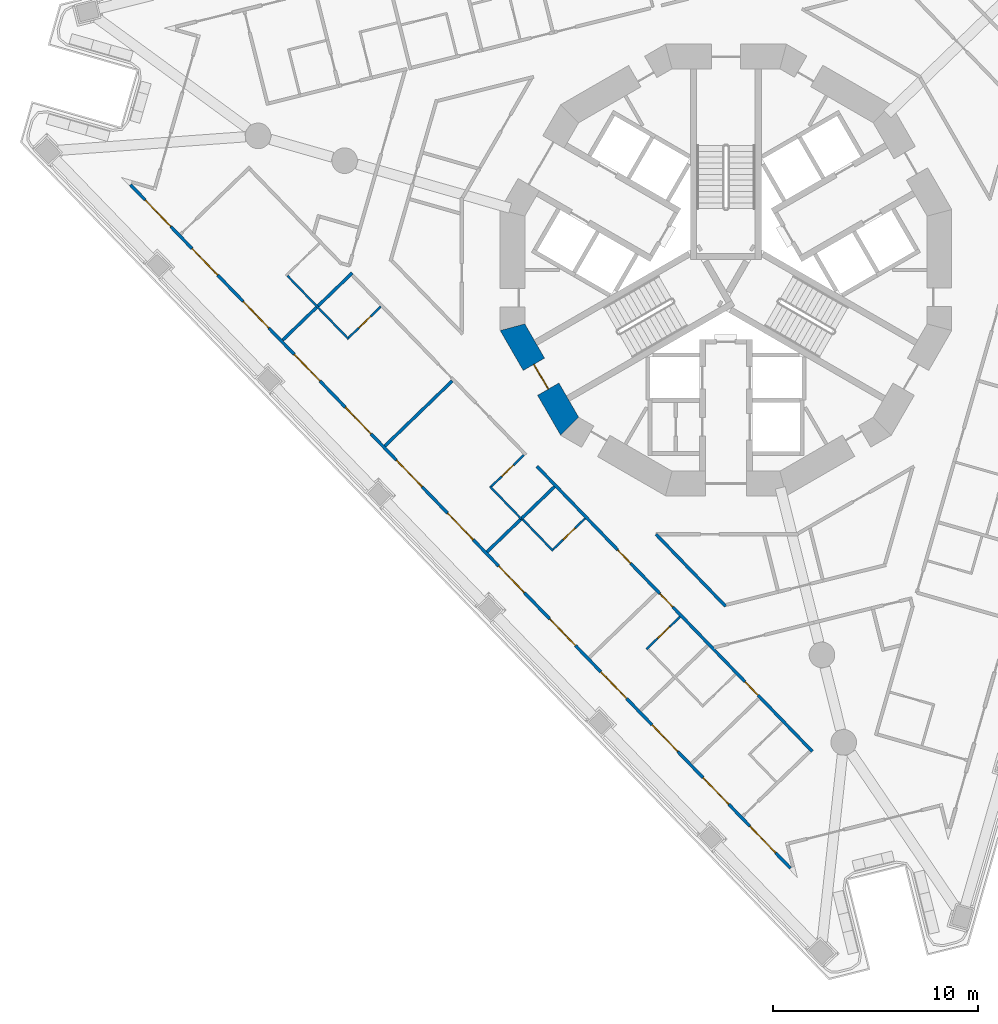
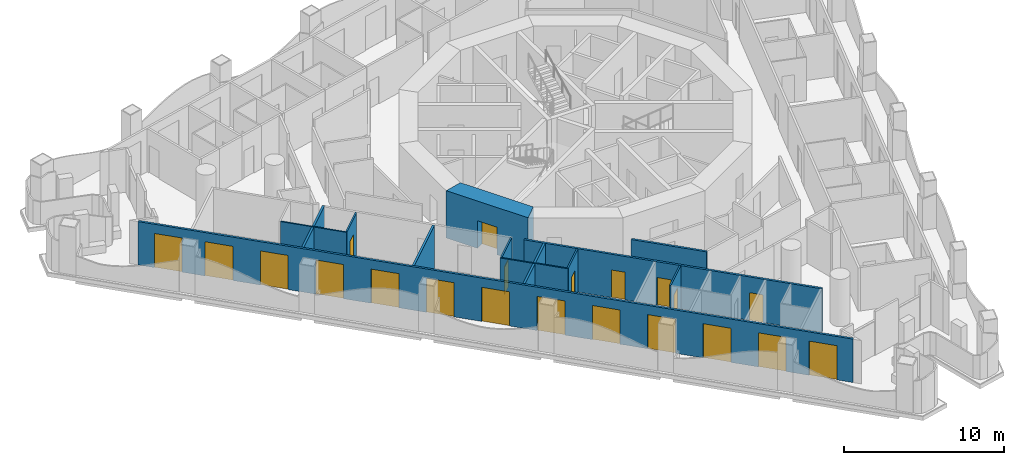
# One storey, part 2 of 18: 21 doors, 15 walls, 21 openings.
"""IFC4 building model written with IfcOpenShell, lengths in metres."""

from ifc_helpers import new_model, si_unit, direction, frame, frame_2d, origin, place, context, subcontext, project, spatial, polyline, rectangle, outline, extrude, material, layer, layer_set, type_object, element, fill, save


model = new_model("IFC4")

# Units and contexts
model_context = context("Model", 3, precision=1e-05, world=origin(), true_north=direction((0.0, 1.0)))
body_context = subcontext(model_context, "Body", "Model", "MODEL_VIEW")
ifc_project = project(units=[si_unit("LENGTHUNIT", "METRE"), si_unit("AREAUNIT", "SQUARE_METRE"), si_unit("VOLUMEUNIT", "CUBIC_METRE"), si_unit("PLANEANGLEUNIT", "RADIAN"), si_unit("MASSUNIT", "GRAM", prefix="KILO")], contexts=[model_context])

# Site, building, storey
site_placement = place(None, origin())
site = spatial("IfcSite", under=ifc_project, at=site_placement, CompositionType="ELEMENT")
building_placement = place(site_placement, origin())
building = spatial("IfcBuilding", under=site, at=building_placement, Name="Trine Commons Tower", CompositionType="ELEMENT")
storey_placement = place(building_placement, frame((0.0, 0.0, 94.5)))
storey = spatial("IfcBuildingStorey", under=building, at=storey_placement, Name="L23", CompositionType="ELEMENT", Elevation=94.5)

# Wall, openings, doors
ifc_material_1 = material(Name="Aluminium-framed insulated wall panel", Category="aluminium")
ifc_layer_1 = layer(ifc_material_1, 0.14990234375)
ifc_layer_set_1 = layer_set([ifc_layer_1], Name="Aluminium-framed insulated wall panel")
wall_type_1 = type_object("IfcWallType", Name="Glazed frame wall 150, EI 60", PredefinedType="SOLIDWALL", material=ifc_layer_set_1)
wall_1_placement = place(storey_placement, frame((83.25048828125, 33.21630859375, 0.0), z_axis=(0.0, 0.0, 1.0), x_axis=(-0.69466017463, 0.719338058067, 0.0)))
wall_1 = element("IfcWall", 1, at=wall_1_placement, inside=storey, type_object=wall_type_1, Name="Glazed frame wall F3", PredefinedType="SOLIDWALL", context=body_context, shape_type="SweptSolid", body=[
    extrude(outline(polyline([(0.1494140625, 0.074951171875), (0.1494140625, -0.074951171875), (46.496826171875, -0.074951171875), (46.496826171875, 0.074951171875), (0.1494140625, 0.074951171875)])), origin(), (0.0, 0.0, 1.0), 3.300048828125),
])
opening_1_placement = place(wall_1_placement, frame((1.194091796875, 0.0, 0.0)))
opening_1 = element("IfcOpeningElement", 2, at=opening_1_placement, cuts=wall_1, Name="Opening BD-3F3-01", PredefinedType="OPENING", context=body_context, shape_type="SweptSolid", body=[
    extrude(rectangle(XDim=1.800048828125, YDim=2.60009765625, at=frame_2d((0.89990234375, 1.300048828125))), frame((0.0, 0.0849609375, 0.0), z_axis=(0.0, -1.0, 0.0), x_axis=(1.0, 0.0, 0.0)), (0.0, 0.0, 1.0), 0.169921875),
])
opening_2_placement = place(wall_1_placement, frame((4.482421875, 0.0, 0.0)))
opening_2 = element("IfcOpeningElement", 3, at=opening_2_placement, cuts=wall_1, Name="Opening BD-3F3-02", PredefinedType="OPENING", context=body_context, shape_type="SweptSolid", body=[
    extrude(rectangle(XDim=1.800048828125, YDim=2.60009765625, at=frame_2d((0.89990234375, 1.300048828125))), frame((0.0, 0.0849609375, 0.0), z_axis=(0.0, -1.0, 0.0), x_axis=(1.0, 0.0, 0.0)), (0.0, 0.0, 1.0), 0.169921875),
])
opening_3_placement = place(wall_1_placement, frame((8.070556640625, 0.0, 0.0)))
opening_3 = element("IfcOpeningElement", 4, at=opening_3_placement, cuts=wall_1, Name="Opening BD-3F3-03", PredefinedType="OPENING", context=body_context, shape_type="SweptSolid", body=[
    extrude(rectangle(XDim=1.800048828125, YDim=2.60009765625, at=frame_2d((0.89990234375, 1.300048828125))), frame((0.0, 0.0849609375, 0.0), z_axis=(0.0, -1.0, 0.0), x_axis=(1.0, 0.0, 0.0)), (0.0, 0.0, 1.0), 0.169921875),
])
opening_4_placement = place(wall_1_placement, frame((11.65869140625, 0.0, 0.0)))
opening_4 = element("IfcOpeningElement", 5, at=opening_4_placement, cuts=wall_1, Name="Opening BD-3F3-04", PredefinedType="OPENING", context=body_context, shape_type="SweptSolid", body=[
    extrude(rectangle(XDim=1.800048828125, YDim=2.60009765625, at=frame_2d((0.89990234375, 1.300048828125))), frame((0.0, 0.0849609375, 0.0), z_axis=(0.0, -1.0, 0.0), x_axis=(1.0, 0.0, 0.0)), (0.0, 0.0, 1.0), 0.169921875),
])
opening_5_placement = place(wall_1_placement, frame((15.246826171875, 0.0, 0.0)))
opening_5 = element("IfcOpeningElement", 6, at=opening_5_placement, cuts=wall_1, Name="Opening BD-3F3-05", PredefinedType="OPENING", context=body_context, shape_type="SweptSolid", body=[
    extrude(rectangle(XDim=1.800048828125, YDim=2.60009765625, at=frame_2d((0.89990234375, 1.300048828125))), frame((0.0, 0.0849609375, 0.0), z_axis=(0.0, -1.0, 0.0), x_axis=(1.0, 0.0, 0.0)), (0.0, 0.0, 1.0), 0.169921875),
])
opening_6_placement = place(wall_1_placement, frame((18.835205078125, 0.0, 0.0)))
opening_6 = element("IfcOpeningElement", 7, at=opening_6_placement, cuts=wall_1, Name="Opening BD-3F3-06", PredefinedType="OPENING", context=body_context, shape_type="SweptSolid", body=[
    extrude(rectangle(XDim=1.800048828125, YDim=2.60009765625, at=frame_2d((0.89990234375, 1.300048828125))), frame((0.0, 0.0849609375, 0.0), z_axis=(0.0, -1.0, 0.0), x_axis=(1.0, 0.0, 0.0)), (0.0, 0.0, 1.0), 0.169921875),
])
opening_7_placement = place(wall_1_placement, frame((22.42333984375, 0.0, 0.0)))
opening_7 = element("IfcOpeningElement", 8, at=opening_7_placement, cuts=wall_1, Name="Opening BD-3F3-07", PredefinedType="OPENING", context=body_context, shape_type="SweptSolid", body=[
    extrude(rectangle(XDim=1.800048828125, YDim=2.60009765625, at=frame_2d((0.89990234375, 1.300048828125))), frame((0.0, 0.0849609375, 0.0), z_axis=(0.0, -1.0, 0.0), x_axis=(1.0, 0.0, 0.0)), (0.0, 0.0, 1.0), 0.169921875),
])
opening_8_placement = place(wall_1_placement, frame((26.011474609375, 0.0, 0.0)))
opening_8 = element("IfcOpeningElement", 9, at=opening_8_placement, cuts=wall_1, Name="Opening BD-3F3-08", PredefinedType="OPENING", context=body_context, shape_type="SweptSolid", body=[
    extrude(rectangle(XDim=1.800048828125, YDim=2.60009765625, at=frame_2d((0.89990234375, 1.300048828125))), frame((0.0, 0.0849609375, 0.0), z_axis=(0.0, -1.0, 0.0), x_axis=(1.0, 0.0, 0.0)), (0.0, 0.0, 1.0), 0.169921875),
])
opening_9_placement = place(wall_1_placement, frame((29.599609375, 0.0, 0.0)))
opening_9 = element("IfcOpeningElement", 10, at=opening_9_placement, cuts=wall_1, Name="Opening BD-3F3-09", PredefinedType="OPENING", context=body_context, shape_type="SweptSolid", body=[
    extrude(rectangle(XDim=1.800048828125, YDim=2.60009765625, at=frame_2d((0.89990234375, 1.300048828125))), frame((0.0, 0.0849609375, 0.0), z_axis=(0.0, -1.0, 0.0), x_axis=(1.0, 0.0, 0.0)), (0.0, 0.0, 1.0), 0.169921875),
])
opening_10_placement = place(wall_1_placement, frame((33.18798828125, 0.0, 0.0)))
opening_10 = element("IfcOpeningElement", 11, at=opening_10_placement, cuts=wall_1, Name="Opening BD-3F3-10", PredefinedType="OPENING", context=body_context, shape_type="SweptSolid", body=[
    extrude(rectangle(XDim=1.800048828125, YDim=2.60009765625, at=frame_2d((0.89990234375, 1.300048828125))), frame((0.0, 0.0849609375, 0.0), z_axis=(0.0, -1.0, 0.0), x_axis=(1.0, 0.0, 0.0)), (0.0, 0.0, 1.0), 0.169921875),
])
opening_11_placement = place(wall_1_placement, frame((36.776123046875, 0.0, 0.0)))
opening_11 = element("IfcOpeningElement", 12, at=opening_11_placement, cuts=wall_1, Name="Opening BD-3F3-11", PredefinedType="OPENING", context=body_context, shape_type="SweptSolid", body=[
    extrude(rectangle(XDim=1.800048828125, YDim=2.60009765625, at=frame_2d((0.89990234375, 1.300048828125))), frame((0.0, 0.0849609375, 0.0), z_axis=(0.0, -1.0, 0.0), x_axis=(1.0, 0.0, 0.0)), (0.0, 0.0, 1.0), 0.169921875),
])
opening_12_placement = place(wall_1_placement, frame((40.3642578125, 0.0, 0.0)))
opening_12 = element("IfcOpeningElement", 13, at=opening_12_placement, cuts=wall_1, Name="Opening BD-3F3-12", PredefinedType="OPENING", context=body_context, shape_type="SweptSolid", body=[
    extrude(rectangle(XDim=1.800048828125, YDim=2.60009765625, at=frame_2d((0.89990234375, 1.300048828125))), frame((0.0, 0.0849609375, 0.0), z_axis=(0.0, -1.0, 0.0), x_axis=(1.0, 0.0, 0.0)), (0.0, 0.0, 1.0), 0.169921875),
])
opening_13_placement = place(wall_1_placement, frame((43.652587890625, 0.0, 0.0)))
opening_13 = element("IfcOpeningElement", 14, at=opening_13_placement, cuts=wall_1, Name="Opening BD-3F3-13", PredefinedType="OPENING", context=body_context, shape_type="SweptSolid", body=[
    extrude(rectangle(XDim=1.800048828125, YDim=2.60009765625, at=frame_2d((0.89990234375, 1.300048828125))), frame((0.0, 0.0849609375, 0.0), z_axis=(0.0, -1.0, 0.0), x_axis=(1.0, 0.0, 0.0)), (0.0, 0.0, 1.0), 0.169921875),
])
ifc_material_2 = material(Name="Anodised aluminium frame with double glazing", Category="aluminium")
door_type_1 = type_object("IfcDoorType", Name="Sliding loggia door 1800x2600", OperationType="SLIDING_TO_LEFT", PredefinedType="DOOR", material=ifc_material_2)
door_1_placement = place(opening_1_placement, origin())
door_1 = element("IfcDoor", 15, at=door_1_placement, inside=storey, type_object=door_type_1, Name="Loggia door F3 1", OperationType="SLIDING_TO_LEFT", OverallHeight=2.60009765625, OverallWidth=1.800048828125, PredefinedType="DOOR", context=body_context, shape_type="SweptSolid", body=[
    extrude(rectangle(XDim=1.800048828125, YDim=2.60009765625, at=frame_2d((0.89990234375, 1.300048828125))), frame((0.0, 0.02490234375, 0.0), z_axis=(0.0, -1.0, 0.0), x_axis=(1.0, 0.0, 0.0)), (0.0, 0.0, 1.0), 0.050048828125),
])
fill(opening_1, door_1)
door_2_placement = place(opening_2_placement, origin())
door_2 = element("IfcDoor", 16, at=door_2_placement, inside=storey, type_object=door_type_1, Name="Loggia door F3 2", OperationType="SLIDING_TO_LEFT", OverallHeight=2.60009765625, OverallWidth=1.800048828125, PredefinedType="DOOR", context=body_context, shape_type="SweptSolid", body=[
    extrude(rectangle(XDim=1.800048828125, YDim=2.60009765625, at=frame_2d((0.89990234375, 1.300048828125))), frame((0.0, 0.02490234375, 0.0), z_axis=(0.0, -1.0, 0.0), x_axis=(1.0, 0.0, 0.0)), (0.0, 0.0, 1.0), 0.050048828125),
])
fill(opening_2, door_2)
door_3_placement = place(opening_3_placement, origin())
door_3 = element("IfcDoor", 17, at=door_3_placement, inside=storey, type_object=door_type_1, Name="Loggia door F3 3", OperationType="SLIDING_TO_LEFT", OverallHeight=2.60009765625, OverallWidth=1.800048828125, PredefinedType="DOOR", context=body_context, shape_type="SweptSolid", body=[
    extrude(rectangle(XDim=1.800048828125, YDim=2.60009765625, at=frame_2d((0.89990234375, 1.300048828125))), frame((0.0, 0.02490234375, 0.0), z_axis=(0.0, -1.0, 0.0), x_axis=(1.0, 0.0, 0.0)), (0.0, 0.0, 1.0), 0.050048828125),
])
fill(opening_3, door_3)
door_4_placement = place(opening_4_placement, origin())
door_4 = element("IfcDoor", 18, at=door_4_placement, inside=storey, type_object=door_type_1, Name="Loggia door F3 4", OperationType="SLIDING_TO_LEFT", OverallHeight=2.60009765625, OverallWidth=1.800048828125, PredefinedType="DOOR", context=body_context, shape_type="SweptSolid", body=[
    extrude(rectangle(XDim=1.800048828125, YDim=2.60009765625, at=frame_2d((0.89990234375, 1.300048828125))), frame((0.0, 0.02490234375, 0.0), z_axis=(0.0, -1.0, 0.0), x_axis=(1.0, 0.0, 0.0)), (0.0, 0.0, 1.0), 0.050048828125),
])
fill(opening_4, door_4)
door_5_placement = place(opening_5_placement, origin())
door_5 = element("IfcDoor", 19, at=door_5_placement, inside=storey, type_object=door_type_1, Name="Loggia door F3 5", OperationType="SLIDING_TO_LEFT", OverallHeight=2.60009765625, OverallWidth=1.800048828125, PredefinedType="DOOR", context=body_context, shape_type="SweptSolid", body=[
    extrude(rectangle(XDim=1.800048828125, YDim=2.60009765625, at=frame_2d((0.89990234375, 1.300048828125))), frame((0.0, 0.02490234375, 0.0), z_axis=(0.0, -1.0, 0.0), x_axis=(1.0, 0.0, 0.0)), (0.0, 0.0, 1.0), 0.050048828125),
])
fill(opening_5, door_5)
door_6_placement = place(opening_6_placement, origin())
door_6 = element("IfcDoor", 20, at=door_6_placement, inside=storey, type_object=door_type_1, Name="Loggia door F3 6", OperationType="SLIDING_TO_LEFT", OverallHeight=2.60009765625, OverallWidth=1.800048828125, PredefinedType="DOOR", context=body_context, shape_type="SweptSolid", body=[
    extrude(rectangle(XDim=1.800048828125, YDim=2.60009765625, at=frame_2d((0.89990234375, 1.300048828125))), frame((0.0, 0.02490234375, 0.0), z_axis=(0.0, -1.0, 0.0), x_axis=(1.0, 0.0, 0.0)), (0.0, 0.0, 1.0), 0.050048828125),
])
fill(opening_6, door_6)
door_7_placement = place(opening_7_placement, origin())
door_7 = element("IfcDoor", 21, at=door_7_placement, inside=storey, type_object=door_type_1, Name="Loggia door F3 7", OperationType="SLIDING_TO_LEFT", OverallHeight=2.60009765625, OverallWidth=1.800048828125, PredefinedType="DOOR", context=body_context, shape_type="SweptSolid", body=[
    extrude(rectangle(XDim=1.800048828125, YDim=2.60009765625, at=frame_2d((0.89990234375, 1.300048828125))), frame((0.0, 0.02490234375, 0.0), z_axis=(0.0, -1.0, 0.0), x_axis=(1.0, 0.0, 0.0)), (0.0, 0.0, 1.0), 0.050048828125),
])
fill(opening_7, door_7)
door_8_placement = place(opening_8_placement, origin())
door_8 = element("IfcDoor", 22, at=door_8_placement, inside=storey, type_object=door_type_1, Name="Loggia door F3 8", OperationType="SLIDING_TO_LEFT", OverallHeight=2.60009765625, OverallWidth=1.800048828125, PredefinedType="DOOR", context=body_context, shape_type="SweptSolid", body=[
    extrude(rectangle(XDim=1.800048828125, YDim=2.60009765625, at=frame_2d((0.89990234375, 1.300048828125))), frame((0.0, 0.02490234375, 0.0), z_axis=(0.0, -1.0, 0.0), x_axis=(1.0, 0.0, 0.0)), (0.0, 0.0, 1.0), 0.050048828125),
])
fill(opening_8, door_8)
door_9_placement = place(opening_9_placement, origin())
door_9 = element("IfcDoor", 23, at=door_9_placement, inside=storey, type_object=door_type_1, Name="Loggia door F3 9", OperationType="SLIDING_TO_LEFT", OverallHeight=2.60009765625, OverallWidth=1.800048828125, PredefinedType="DOOR", context=body_context, shape_type="SweptSolid", body=[
    extrude(rectangle(XDim=1.800048828125, YDim=2.60009765625, at=frame_2d((0.89990234375, 1.300048828125))), frame((0.0, 0.02490234375, 0.0), z_axis=(0.0, -1.0, 0.0), x_axis=(1.0, 0.0, 0.0)), (0.0, 0.0, 1.0), 0.050048828125),
])
fill(opening_9, door_9)
door_10_placement = place(opening_10_placement, origin())
door_10 = element("IfcDoor", 24, at=door_10_placement, inside=storey, type_object=door_type_1, Name="Loggia door F3 10", OperationType="SLIDING_TO_LEFT", OverallHeight=2.60009765625, OverallWidth=1.800048828125, PredefinedType="DOOR", context=body_context, shape_type="SweptSolid", body=[
    extrude(rectangle(XDim=1.800048828125, YDim=2.60009765625, at=frame_2d((0.89990234375, 1.300048828125))), frame((0.0, 0.02490234375, 0.0), z_axis=(0.0, -1.0, 0.0), x_axis=(1.0, 0.0, 0.0)), (0.0, 0.0, 1.0), 0.050048828125),
])
fill(opening_10, door_10)
door_11_placement = place(opening_11_placement, origin())
door_11 = element("IfcDoor", 25, at=door_11_placement, inside=storey, type_object=door_type_1, Name="Loggia door F3 11", OperationType="SLIDING_TO_LEFT", OverallHeight=2.60009765625, OverallWidth=1.800048828125, PredefinedType="DOOR", context=body_context, shape_type="SweptSolid", body=[
    extrude(rectangle(XDim=1.800048828125, YDim=2.60009765625, at=frame_2d((0.89990234375, 1.300048828125))), frame((0.0, 0.02490234375, 0.0), z_axis=(0.0, -1.0, 0.0), x_axis=(1.0, 0.0, 0.0)), (0.0, 0.0, 1.0), 0.050048828125),
])
fill(opening_11, door_11)
door_12_placement = place(opening_12_placement, origin())
door_12 = element("IfcDoor", 26, at=door_12_placement, inside=storey, type_object=door_type_1, Name="Loggia door F3 12", OperationType="SLIDING_TO_LEFT", OverallHeight=2.60009765625, OverallWidth=1.800048828125, PredefinedType="DOOR", context=body_context, shape_type="SweptSolid", body=[
    extrude(rectangle(XDim=1.800048828125, YDim=2.60009765625, at=frame_2d((0.89990234375, 1.300048828125))), frame((0.0, 0.02490234375, 0.0), z_axis=(0.0, -1.0, 0.0), x_axis=(1.0, 0.0, 0.0)), (0.0, 0.0, 1.0), 0.050048828125),
])
fill(opening_12, door_12)
door_13_placement = place(opening_13_placement, origin())
door_13 = element("IfcDoor", 27, at=door_13_placement, inside=storey, type_object=door_type_1, Name="Loggia door F3 13", OperationType="SLIDING_TO_LEFT", OverallHeight=2.60009765625, OverallWidth=1.800048828125, PredefinedType="DOOR", context=body_context, shape_type="SweptSolid", body=[
    extrude(rectangle(XDim=1.800048828125, YDim=2.60009765625, at=frame_2d((0.89990234375, 1.300048828125))), frame((0.0, 0.02490234375, 0.0), z_axis=(0.0, -1.0, 0.0), x_axis=(1.0, 0.0, 0.0)), (0.0, 0.0, 1.0), 0.050048828125),
])
fill(opening_13, door_13)

# Wall, opening, door
ifc_material_3 = material(Name="Concrete C70/85", Category="concrete")
ifc_layer_2 = layer(ifc_material_3, 1.199951171875)
ifc_layer_set_2 = layer_set([ifc_layer_2], Name="Concrete C70/85")
wall_type_2 = type_object("IfcWallType", Name="RC shear wall 1200 mm, C70/85", PredefinedType="SHEAR", material=ifc_layer_set_2)
wall_2_placement = place(storey_placement, frame((69.508056640625, 59.849609375, 0.0), z_axis=(0.0, 0.0, 1.0), x_axis=(0.499979111662, -0.866037463336, 0.0)))
wall_2 = element("IfcWall", 28, at=wall_2_placement, inside=storey, type_object=wall_type_2, Name="Core wall CWC-08 L23", PredefinedType="SHEAR", context=body_context, shape_type="SweptSolid", body=[
    extrude(outline(polyline([(0.0, -0.60009765625), (5.901123046875, -0.60009765625), (5.57958984375, 0.60009765625), (0.321533203125, 0.60009765625), (0.0, -0.60009765625)])), origin(), (0.0, 0.0, 1.0), 3.60009765625),
])
opening_14_placement = place(wall_2_placement, frame((2.25048828125, 0.0, 0.0)))
opening_14 = element("IfcOpeningElement", 29, at=opening_14_placement, cuts=wall_2, Name="Opening K06.02", PredefinedType="OPENING", context=body_context, shape_type="SweptSolid", body=[
    extrude(rectangle(XDim=1.39990234375, YDim=2.10009765625, at=frame_2d((0.699951171875, 1.050048828125))), frame((0.0, 0.60986328125, 0.0), z_axis=(0.0, -1.0, 0.0), x_axis=(1.0, 0.0, 0.0)), (0.0, 0.0, 1.0), 1.219970703125),
])
ifc_material_4 = material(Name="Steel door leaves, fire-rated", Category="steel")
door_type_2 = type_object("IfcDoorType", Name="Stair door, double leaf 1400 x 2100, FD90", OperationType="DOUBLE_DOOR_SINGLE_SWING", PredefinedType="DOOR", material=ifc_material_4)
door_14_placement = place(opening_14_placement, origin())
door_14 = element("IfcDoor", 30, at=door_14_placement, inside=storey, type_object=door_type_2, Name="Stair door to Exit stair ST2A L23", OperationType="DOUBLE_DOOR_SINGLE_SWING", OverallHeight=2.10009765625, OverallWidth=1.39990234375, PredefinedType="DOOR", context=body_context, shape_type="SweptSolid", body=[
    extrude(rectangle(XDim=1.39990234375, YDim=2.10009765625, at=frame_2d((0.699951171875, 1.050048828125))), frame((0.0, 0.02490234375, 0.0), z_axis=(0.0, -1.0, 0.0), x_axis=(1.0, 0.0, 0.0)), (0.0, 0.0, 1.0), 0.050048828125),
])
fill(opening_14, door_14)

# Walls
ifc_material_5 = material(Name="Gypsum plasterboard on steel stud", Category="steel")
ifc_layer_3 = layer(ifc_material_5, 0.14990234375)
ifc_layer_set_3 = layer_set([ifc_layer_3], Name="Gypsum plasterboard on steel stud")
wall_type_3 = type_object("IfcWallType", Name="Unit and corridor wall 150 mm, EI 60", PredefinedType="PARTITIONING", material=ifc_layer_set_3)
wall_3_placement = place(storey_placement, frame((58.37890625, 59.079833984375, 0.0), z_axis=(0.0, 0.0, 1.0), x_axis=(0.719355135732, 0.694642489844, 0.0)))
element("IfcWall", 31, at=wall_3_placement, inside=storey, type_object=wall_type_3, Name="Partition 005", PredefinedType="PARTITIONING", context=body_context, shape_type="SweptSolid", body=[
    extrude(rectangle(XDim=4.72216796875, YDim=0.14990234375, at=frame_2d((2.361083984375, 0.0))), origin(), (0.0, 0.0, 1.0), 3.300048828125),
])
wall_4_placement = place(storey_placement, frame((63.36376953125, 53.917724609375, 0.0), z_axis=(0.0, 0.0, 1.0), x_axis=(0.719359139448, 0.694638343667, 0.0)))
element("IfcWall", 32, at=wall_4_placement, inside=storey, type_object=wall_type_3, Name="Partition 023", PredefinedType="PARTITIONING", context=body_context, shape_type="SweptSolid", body=[
    extrude(rectangle(XDim=4.572509765625, YDim=0.14990234375, at=frame_2d((2.2861328125, 0.0))), origin(), (0.0, 0.0, 1.0), 3.300048828125),
])
wall_5_placement = place(storey_placement, frame((68.348876953125, 48.7548828125, 0.0), z_axis=(0.0, 0.0, 1.0), x_axis=(0.719519317985, 0.694472426412, 0.0)))
element("IfcWall", 33, at=wall_5_placement, inside=storey, type_object=wall_type_3, Name="Partition 041", PredefinedType="PARTITIONING", context=body_context, shape_type="SweptSolid", body=[
    extrude(rectangle(XDim=2.31982421875, YDim=0.14990234375, at=frame_2d((1.159912109375, 0.0))), origin(), (0.0, 0.0, 1.0), 3.300048828125),
])
wall_6_placement = place(storey_placement, frame((70.001953125, 50.351318359375, 0.0), z_axis=(0.0, 0.0, 1.0), x_axis=(0.719390368222, 0.694606002068, 0.0)))
element("IfcWall", 34, at=wall_6_placement, inside=storey, type_object=wall_type_3, Name="Partition 046", PredefinedType="PARTITIONING", context=body_context, shape_type="SweptSolid", body=[
    extrude(rectangle(XDim=2.275390625, YDim=0.14990234375, at=frame_2d((1.1376953125, 0.0))), origin(), (0.0, 0.0, 1.0), 3.300048828125),
])

# Wall, openings, doors
wall_7_placement = place(storey_placement, frame((70.779052734375, 52.928955078125, 0.0), z_axis=(0.0, 0.0, 1.0), x_axis=(0.694659650284, -0.719338564424, 0.0)))
wall_7 = element("IfcWall", 35, at=wall_7_placement, inside=storey, type_object=wall_type_3, Name="Partition 048", PredefinedType="PARTITIONING", context=body_context, shape_type="SweptSolid", body=[
    extrude(rectangle(XDim=19.330322265625, YDim=0.14990234375, at=frame_2d((9.6650390625, 0.0))), origin(), (0.0, 0.0, 1.0), 3.300048828125),
])
opening_15_placement = place(wall_7_placement, frame((14.61767578125, 0.0, 0.0)))
opening_15 = element("IfcOpeningElement", 36, at=opening_15_placement, cuts=wall_7, Name="Opening D-3A23", PredefinedType="OPENING", context=body_context, shape_type="SweptSolid", body=[
    extrude(rectangle(XDim=0.89990234375, YDim=2.10009765625, at=frame_2d((0.449951171875, 1.050048828125))), frame((0.0, 0.0849609375, 0.0), z_axis=(0.0, -1.0, 0.0), x_axis=(1.0, 0.0, 0.0)), (0.0, 0.0, 1.0), 0.169921875),
])
opening_16_placement = place(wall_7_placement, frame((8.640869140625, 0.0, 0.0)))
opening_16 = element("IfcOpeningElement", 37, at=opening_16_placement, cuts=wall_7, Name="Opening D-3A24", PredefinedType="OPENING", context=body_context, shape_type="SweptSolid", body=[
    extrude(rectangle(XDim=0.89990234375, YDim=2.10009765625, at=frame_2d((0.449951171875, 1.050048828125))), frame((0.0, 0.0849609375, 0.0), z_axis=(0.0, -1.0, 0.0), x_axis=(1.0, 0.0, 0.0)), (0.0, 0.0, 1.0), 0.169921875),
])
opening_17_placement = place(wall_7_placement, frame((5.673583984375, 0.0, 0.0)))
opening_17 = element("IfcOpeningElement", 38, at=opening_17_placement, cuts=wall_7, Name="Opening D-3A25", PredefinedType="OPENING", context=body_context, shape_type="SweptSolid", body=[
    extrude(rectangle(XDim=0.89990234375, YDim=2.10009765625, at=frame_2d((0.449951171875, 1.050048828125))), frame((0.0, 0.0849609375, 0.0), z_axis=(0.0, -1.0, 0.0), x_axis=(1.0, 0.0, 0.0)), (0.0, 0.0, 1.0), 0.169921875),
])
ifc_material_6 = material(Name="Timber fire door set", Category="wood")
door_type_3 = type_object("IfcDoorType", Name="Bedroom door 900 x 2100, FD30S", OperationType="NOTDEFINED", PredefinedType="DOOR", material=ifc_material_6)
door_15_placement = place(opening_15_placement, frame((0.89990234375, 0.0, 0.0), z_axis=(0.0, 0.0, 1.0), x_axis=(-1.0, 0.0, 0.0)))
door_15 = element("IfcDoor", 39, at=door_15_placement, inside=storey, type_object=door_type_3, Name="Door D-3A23", OperationType="SINGLE_SWING_LEFT", OverallHeight=2.10009765625, OverallWidth=0.89990234375, PredefinedType="DOOR", context=body_context, shape_type="SweptSolid", body=[
    extrude(rectangle(XDim=0.89990234375, YDim=2.10009765625, at=frame_2d((0.449951171875, 1.050048828125))), frame((0.0, 0.02490234375, 0.0), z_axis=(0.0, -1.0, 0.0), x_axis=(1.0, 0.0, 0.0)), (0.0, 0.0, 1.0), 0.050048828125),
])
fill(opening_15, door_15)
door_16_placement = place(opening_16_placement, frame((0.89990234375, 0.0, 0.0), z_axis=(0.0, 0.0, 1.0), x_axis=(-1.0, 0.0, 0.0)))
door_16 = element("IfcDoor", 40, at=door_16_placement, inside=storey, type_object=door_type_3, Name="Door D-3A24", OperationType="SINGLE_SWING_RIGHT", OverallHeight=2.10009765625, OverallWidth=0.89990234375, PredefinedType="DOOR", context=body_context, shape_type="SweptSolid", body=[
    extrude(rectangle(XDim=0.89990234375, YDim=2.10009765625, at=frame_2d((0.449951171875, 1.050048828125))), frame((0.0, 0.02490234375, 0.0), z_axis=(0.0, -1.0, 0.0), x_axis=(1.0, 0.0, 0.0)), (0.0, 0.0, 1.0), 0.050048828125),
])
fill(opening_16, door_16)
door_17_placement = place(opening_17_placement, frame((0.89990234375, 0.0, 0.0), z_axis=(0.0, 0.0, 1.0), x_axis=(-1.0, 0.0, 0.0)))
door_17 = element("IfcDoor", 41, at=door_17_placement, inside=storey, type_object=door_type_3, Name="Door D-3A25", OperationType="SINGLE_SWING_RIGHT", OverallHeight=2.10009765625, OverallWidth=0.89990234375, PredefinedType="DOOR", context=body_context, shape_type="SweptSolid", body=[
    extrude(rectangle(XDim=0.89990234375, YDim=2.10009765625, at=frame_2d((0.449951171875, 1.050048828125))), frame((0.0, 0.02490234375, 0.0), z_axis=(0.0, -1.0, 0.0), x_axis=(1.0, 0.0, 0.0)), (0.0, 0.0, 1.0), 0.050048828125),
])
fill(opening_17, door_17)

# Walls
wall_8_placement = place(storey_placement, frame((76.587890625, 49.613037109375, 0.0), z_axis=(0.0, 0.0, 1.0), x_axis=(0.694768247914, -0.719233676694, 0.0)))
element("IfcWall", 42, at=wall_8_placement, inside=storey, type_object=wall_type_3, Name="Partition 058", PredefinedType="PARTITIONING", context=body_context, shape_type="SweptSolid", body=[
    extrude(rectangle(XDim=4.8896484375, YDim=0.14990234375, at=frame_2d((2.44482421875, 0.0))), origin(), (0.0, 0.0, 1.0), 3.300048828125),
])
ifc_layer_4 = layer(ifc_material_5, 0.10009765625)
ifc_layer_set_4 = layer_set([ifc_layer_4], Name="Gypsum plasterboard on steel stud")
wall_type_4 = type_object("IfcWallType", Name="Unit partition 100 mm, no rating", PredefinedType="PARTITIONING", material=ifc_layer_set_4)
wall_9_placement = place(storey_placement, frame((58.608642578125, 62.220947265625, 0.0), z_axis=(0.0, 0.0, 1.0), x_axis=(0.694678610247, -0.719320254452, 0.0)))
element("IfcWall", 43, at=wall_9_placement, inside=storey, type_object=wall_type_4, Name="Partition 007", PredefinedType="PARTITIONING", context=body_context, shape_type="SweptSolid", body=[
    extrude(rectangle(XDim=4.2998046875, YDim=0.10009765625, at=frame_2d((2.14990234375, 0.0))), origin(), (0.0, 0.0, 1.0), 3.300048828125),
])

# Wall, opening, door
wall_10_placement = place(storey_placement, frame((61.596923828125, 59.19873046875, 0.0), z_axis=(0.0, 0.0, 1.0), x_axis=(0.719397593573, 0.69459851883, 0.0)))
wall_10 = element("IfcWall", 44, at=wall_10_placement, inside=storey, type_object=wall_type_4, Name="Partition 017", PredefinedType="PARTITIONING", context=body_context, shape_type="SweptSolid", body=[
    extrude(rectangle(XDim=2.17578125, YDim=0.10009765625, at=frame_2d((1.087890625, 0.0))), origin(), (0.0, 0.0, 1.0), 3.300048828125),
])
opening_18_placement = place(wall_10_placement, frame((0.687744140625, 0.0, 0.0)))
opening_18 = element("IfcOpeningElement", 45, at=opening_18_placement, cuts=wall_10, Name="Opening D-3A56", PredefinedType="OPENING", context=body_context, shape_type="SweptSolid", body=[
    extrude(rectangle(XDim=0.800048828125, YDim=2.10009765625, at=frame_2d((0.39990234375, 1.050048828125))), frame((0.0, 0.06005859375, 0.0), z_axis=(0.0, -1.0, 0.0), x_axis=(1.0, 0.0, 0.0)), (0.0, 0.0, 1.0), 0.1201171875),
])
ifc_material_7 = material(Name="Painted timber", Category="wood")
door_type_4 = type_object("IfcDoorType", Name="Internal door 800 x 2100, NOT RATED", OperationType="NOTDEFINED", PredefinedType="DOOR", material=ifc_material_7)
door_18_placement = place(opening_18_placement, frame((0.800048828125, 0.0, 0.0), z_axis=(0.0, 0.0, 1.0), x_axis=(-1.0, 0.0, 0.0)))
door_18 = element("IfcDoor", 46, at=door_18_placement, inside=storey, type_object=door_type_4, Name="Door D-3A56", OperationType="SINGLE_SWING_RIGHT", OverallHeight=2.10009765625, OverallWidth=0.800048828125, PredefinedType="DOOR", context=body_context, shape_type="SweptSolid", body=[
    extrude(rectangle(XDim=0.800048828125, YDim=2.10009765625, at=frame_2d((0.39990234375, 1.050048828125))), frame((0.0, 0.02490234375, 0.0), z_axis=(0.0, -1.0, 0.0), x_axis=(1.0, 0.0, 0.0)), (0.0, 0.0, 1.0), 0.050048828125),
])
fill(opening_18, door_18)

# Wall
wall_11_placement = place(storey_placement, frame((68.4873046875, 51.946044921875, 0.0), z_axis=(0.0, 0.0, 1.0), x_axis=(0.694620268713, -0.719376592817, 0.0)))
element("IfcWall", 47, at=wall_11_placement, inside=storey, type_object=wall_type_4, Name="Partition 042", PredefinedType="PARTITIONING", context=body_context, shape_type="SweptSolid", body=[
    extrude(rectangle(XDim=2.19921875, YDim=0.10009765625, at=frame_2d((1.099609375, 0.0))), origin(), (0.0, 0.0, 1.0), 3.300048828125),
])

# Wall, opening, door
wall_12_placement = place(storey_placement, frame((68.55810546875, 51.944580078125, 0.0), z_axis=(0.0, 0.0, 1.0), x_axis=(0.719172648097, 0.694831420007, 0.0)))
wall_12 = element("IfcWall", 48, at=wall_12_placement, inside=storey, type_object=wall_type_4, Name="Partition 043", PredefinedType="PARTITIONING", context=body_context, shape_type="SweptSolid", body=[
    extrude(rectangle(XDim=2.20654296875, YDim=0.10009765625, at=frame_2d((1.103271484375, 0.0))), origin(), (0.0, 0.0, 1.0), 3.300048828125),
])
opening_19_placement = place(wall_12_placement, frame((0.703369140625, 0.0, 0.0)))
opening_19 = element("IfcOpeningElement", 49, at=opening_19_placement, cuts=wall_12, Name="Opening D-3A55", PredefinedType="OPENING", context=body_context, shape_type="SweptSolid", body=[
    extrude(rectangle(XDim=0.800048828125, YDim=2.10009765625, at=frame_2d((0.39990234375, 1.050048828125))), frame((0.0, 0.06005859375, 0.0), z_axis=(0.0, -1.0, 0.0), x_axis=(1.0, 0.0, 0.0)), (0.0, 0.0, 1.0), 0.1201171875),
])
door_19_placement = place(opening_19_placement, origin())
door_19 = element("IfcDoor", 50, at=door_19_placement, inside=storey, type_object=door_type_4, Name="Door D-3A55", OperationType="SINGLE_SWING_LEFT", OverallHeight=2.10009765625, OverallWidth=0.800048828125, PredefinedType="DOOR", context=body_context, shape_type="SweptSolid", body=[
    extrude(rectangle(XDim=0.800048828125, YDim=2.10009765625, at=frame_2d((0.39990234375, 1.050048828125))), frame((0.0, 0.02490234375, 0.0), z_axis=(0.0, -1.0, 0.0), x_axis=(1.0, 0.0, 0.0)), (0.0, 0.0, 1.0), 0.050048828125),
])
fill(opening_19, door_19)

# Wall
wall_13_placement = place(storey_placement, frame((70.090087890625, 50.33203125, 0.0), z_axis=(0.0, 0.0, 1.0), x_axis=(0.694651904382, -0.719346044501, 0.0)))
element("IfcWall", 51, at=wall_13_placement, inside=storey, type_object=wall_type_4, Name="Partition 045", PredefinedType="PARTITIONING", context=body_context, shape_type="SweptSolid", body=[
    extrude(rectangle(XDim=2.125732421875, YDim=0.10009765625, at=frame_2d((1.06298828125, 0.0))), origin(), (0.0, 0.0, 1.0), 3.300048828125),
])

# Wall, opening, door
wall_14_placement = place(storey_placement, frame((71.568115234375, 48.873779296875, 0.0), z_axis=(0.0, 0.0, 1.0), x_axis=(0.719126734191, 0.69487893922, 0.0)))
wall_14 = element("IfcWall", 52, at=wall_14_placement, inside=storey, type_object=wall_type_4, Name="Partition 049", PredefinedType="PARTITIONING", context=body_context, shape_type="SweptSolid", body=[
    extrude(rectangle(XDim=2.1748046875, YDim=0.10009765625, at=frame_2d((1.08740234375, 0.0))), origin(), (0.0, 0.0, 1.0), 3.300048828125),
])
opening_20_placement = place(wall_14_placement, frame((0.6875, 0.0, 0.0)))
opening_20 = element("IfcOpeningElement", 53, at=opening_20_placement, cuts=wall_14, Name="Opening D-3A54", PredefinedType="OPENING", context=body_context, shape_type="SweptSolid", body=[
    extrude(rectangle(XDim=0.800048828125, YDim=2.10009765625, at=frame_2d((0.39990234375, 1.050048828125))), frame((0.0, 0.06005859375, 0.0), z_axis=(0.0, -1.0, 0.0), x_axis=(1.0, 0.0, 0.0)), (0.0, 0.0, 1.0), 0.1201171875),
])
door_20_placement = place(opening_20_placement, frame((0.800048828125, 0.0, 0.0), z_axis=(0.0, 0.0, 1.0), x_axis=(-1.0, 0.0, 0.0)))
door_20 = element("IfcDoor", 54, at=door_20_placement, inside=storey, type_object=door_type_4, Name="Door D-3A54", OperationType="SINGLE_SWING_RIGHT", OverallHeight=2.10009765625, OverallWidth=0.800048828125, PredefinedType="DOOR", context=body_context, shape_type="SweptSolid", body=[
    extrude(rectangle(XDim=0.800048828125, YDim=2.10009765625, at=frame_2d((0.39990234375, 1.050048828125))), frame((0.0, 0.02490234375, 0.0), z_axis=(0.0, -1.0, 0.0), x_axis=(1.0, 0.0, 0.0)), (0.0, 0.0, 1.0), 0.050048828125),
])
fill(opening_20, door_20)

wall_15_placement = place(storey_placement, frame((76.125, 44.01025390625, 0.0), z_axis=(0.0, 0.0, 1.0), x_axis=(0.719390368222, 0.694606002068, 0.0)))
wall_15 = element("IfcWall", 55, at=wall_15_placement, inside=storey, type_object=wall_type_4, Name="Partition 055", PredefinedType="PARTITIONING", context=body_context, shape_type="SweptSolid", body=[
    extrude(rectangle(XDim=2.275390625, YDim=0.10009765625, at=frame_2d((1.1376953125, 0.0))), origin(), (0.0, 0.0, 1.0), 3.300048828125),
])
opening_21_placement = place(wall_15_placement, frame((0.7626953125, 0.0, 0.0)))
opening_21 = element("IfcOpeningElement", 56, at=opening_21_placement, cuts=wall_15, Name="Opening D-3A53", PredefinedType="OPENING", context=body_context, shape_type="SweptSolid", body=[
    extrude(rectangle(XDim=0.800048828125, YDim=2.10009765625, at=frame_2d((0.39990234375, 1.050048828125))), frame((0.0, 0.06005859375, 0.0), z_axis=(0.0, -1.0, 0.0), x_axis=(1.0, 0.0, 0.0)), (0.0, 0.0, 1.0), 0.1201171875),
])
door_21_placement = place(opening_21_placement, origin())
door_21 = element("IfcDoor", 57, at=door_21_placement, inside=storey, type_object=door_type_4, Name="Door D-3A53", OperationType="SINGLE_SWING_RIGHT", OverallHeight=2.10009765625, OverallWidth=0.800048828125, PredefinedType="DOOR", context=body_context, shape_type="SweptSolid", body=[
    extrude(rectangle(XDim=0.800048828125, YDim=2.10009765625, at=frame_2d((0.39990234375, 1.050048828125))), frame((0.0, 0.02490234375, 0.0), z_axis=(0.0, -1.0, 0.0), x_axis=(1.0, 0.0, 0.0)), (0.0, 0.0, 1.0), 0.050048828125),
])
fill(opening_21, door_21)

save(model, "model.ifc")
